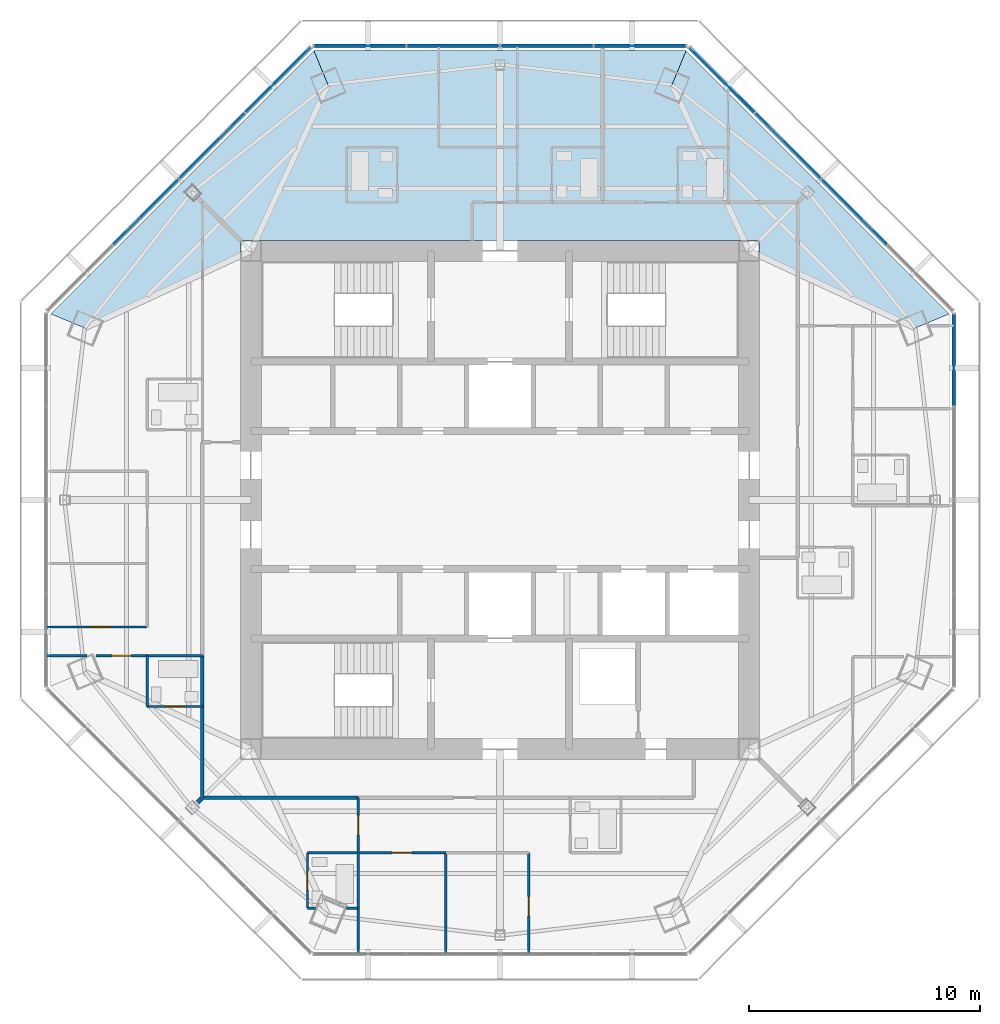
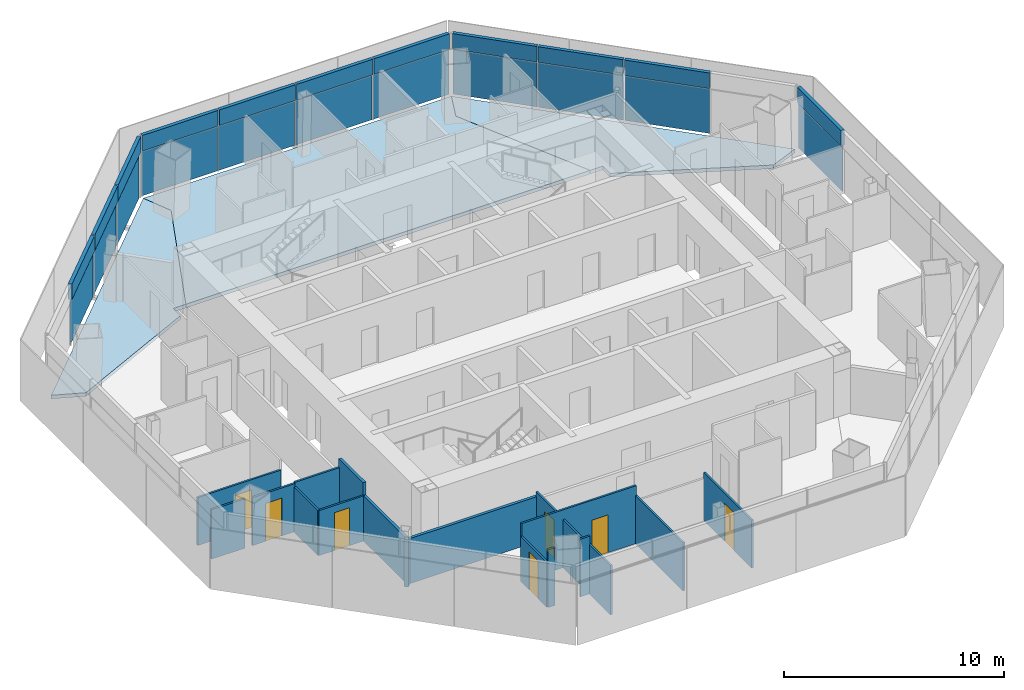
# One storey, part 8 of 15: 22 plates, 19 walls, 7 doors, 3 slabs, 7 openings, 4 elements without a shape of their own.
"""IFC4 building model written with IfcOpenShell, lengths in metres."""

import ifcopenshell
import ifcopenshell.guid

model = None  # the IFC model being written
_history = None  # IfcOwnerHistory: only IFC2X3 demands one
_inside = {}  # id of a spatial element -> (the spatial element, [elements in it])
_under = {}  # id of a project, library or spatial element -> (it, [spatial elements below it])
_declared = {}  # id of a project -> (the project, [libraries it declares])
_typed = {}  # id of a type object -> (the type object, [elements of that type])
_made_of = {}  # id of a material, layer set ... -> (it, [elements and type objects made of it])


def new_model(schema):
    """Start an empty IFC model of exactly this schema.

    Asked for "IFC4X3", IfcOpenShell would pick the latest addendum, in which some entities
    have other attributes; the version numbers below select the first issue.
    IFC2X3 requires an IfcOwnerHistory on every rooted entity: one is made here for all.
    """
    global model, _history
    if schema == "IFC4X3":
        model = ifcopenshell.file(schema_version=(4, 3, 0, 0))
    else:
        model = ifcopenshell.file(schema=schema)
    _inside.clear()
    _under.clear()
    _declared.clear()
    _typed.clear()
    _made_of.clear()
    _history = None
    if model.schema == "IFC2X3":
        org = make("IfcOrganization", Name="unknown")
        user = make(
            "IfcPersonAndOrganization",
            ThePerson=make("IfcPerson", FamilyName="unknown"),
            TheOrganization=org,
        )
        app = make(
            "IfcApplication",
            ApplicationDeveloper=org,
            Version="unknown",
            ApplicationFullName="unknown",
            ApplicationIdentifier="unknown",
        )
        _history = make(
            "IfcOwnerHistory",
            OwningUser=user,
            OwningApplication=app,
            ChangeAction="ADDED",
            CreationDate=0,
        )
    return model


def make(cls, **values):
    """One entity of the class cls with the attributes given. An attribute that is None is left unset."""
    return model.create_entity(
        cls, **{name: value for name, value in values.items() if value is not None}
    )


def rooted(cls, **values):
    """An entity with a GlobalId (a new one), such as an element, a storey or a relation."""
    return make(cls, GlobalId=ifcopenshell.guid.new(), OwnerHistory=_history, **values)


def si_unit(unit_type, name, prefix=None):
    """IfcSIUnit, for example si_unit("LENGTHUNIT", "METRE", prefix="MILLI")."""
    return make("IfcSIUnit", UnitType=unit_type, Prefix=prefix, Name=name)


def assignment(units):
    """IfcUnitAssignment: the units of a project."""
    return None if units is None else make("IfcUnitAssignment", Units=units)


def point(xyz):
    """IfcCartesianPoint."""
    return None if xyz is None else make("IfcCartesianPoint", Coordinates=xyz)


def direction(xyz):
    """IfcDirection."""
    return None if xyz is None else make("IfcDirection", DirectionRatios=xyz)


def frame(location, z_axis=None, x_axis=None):
    """IfcAxis2Placement3D, a coordinate frame: its origin and axes. An axis left out is left unset."""
    return make(
        "IfcAxis2Placement3D",
        Location=point(location),
        Axis=direction(z_axis),
        RefDirection=direction(x_axis),
    )


def frame_2d(location, x_axis=None):
    """IfcAxis2Placement2D, a coordinate frame in the plane: its origin and x axis."""
    return make(
        "IfcAxis2Placement2D", Location=point(location), RefDirection=direction(x_axis)
    )


def origin():
    """The frame at (0, 0, 0) with its axes left unset."""
    return frame((0.0, 0.0, 0.0))


def origin_2d():
    """The frame at (0, 0) in the plane with its x axis left unset."""
    return frame_2d((0.0, 0.0))


def place(relative_to, where):
    """IfcLocalPlacement: puts the frame where relative to a parent placement (None: the world)."""
    return make(
        "IfcLocalPlacement", PlacementRelTo=relative_to, RelativePlacement=where
    )


def context(
    kind, dimensions, precision=None, world=None, true_north=None, identifier=None
):
    """IfcGeometricRepresentationContext, for example the 3D "Model" context."""
    return make(
        "IfcGeometricRepresentationContext",
        ContextIdentifier=identifier,
        ContextType=kind,
        CoordinateSpaceDimension=dimensions,
        Precision=precision,
        WorldCoordinateSystem=world,
        TrueNorth=true_north,
    )


def subcontext(parent, identifier, kind, view, scale=None):
    """IfcGeometricRepresentationSubContext, for example "Body" below "Model"."""
    return make(
        "IfcGeometricRepresentationSubContext",
        ContextIdentifier=identifier,
        ContextType=kind,
        ParentContext=parent,
        TargetScale=scale,
        TargetView=view,
    )


def project(units=None, contexts=None):
    """IfcProject with its units and contexts."""
    return rooted(
        "IfcProject",
        Name="project",
        RepresentationContexts=contexts,
        UnitsInContext=assignment(units),
    )


def spatial(cls, under=None, at=None, **own):
    """A site, building, storey or space (cls), placed at a placement, below another one or the project."""
    s = rooted(cls, ObjectPlacement=at, **own)
    if under is not None:
        _under.setdefault(under.id(), (under, []))[1].append(s)
    return s


def polyline(points):
    """IfcPolyline through the points."""
    return make("IfcPolyline", Points=[point(p) for p in points])


def profile(cls, at=None, kind="AREA", **sizes):
    """A parametric profile (cls). Its sizes go by their IFC names, for example OverallWidth=200.0."""
    return make(cls, ProfileType=kind, Position=at, **sizes)


def rectangle(**sizes):
    """IfcRectangleProfileDef."""
    return profile("IfcRectangleProfileDef", **sizes)


def outline(outer, holes=None, kind="AREA"):
    """IfcArbitraryClosedProfileDef: a profile drawn as a closed curve; with holes, ...WithVoids."""
    if holes is None:
        return make("IfcArbitraryClosedProfileDef", ProfileType=kind, OuterCurve=outer)
    return make(
        "IfcArbitraryProfileDefWithVoids",
        ProfileType=kind,
        OuterCurve=outer,
        InnerCurves=holes,
    )


def extrude(swept, where, along, depth):
    """IfcExtrudedAreaSolid: the profile swept, set in the frame where, extruded along a direction by depth."""
    return make(
        "IfcExtrudedAreaSolid",
        SweptArea=swept,
        Position=where,
        ExtrudedDirection=direction(along),
        Depth=depth,
    )


def shape(context_of_items, identifier, shape_type, items):
    """IfcShapeRepresentation: the items that make up one representation, for example the "Body"."""
    return make(
        "IfcShapeRepresentation",
        ContextOfItems=context_of_items,
        RepresentationIdentifier=identifier,
        RepresentationType=shape_type,
        Items=items,
    )


def source(mapping_origin, context_of_items, identifier, shape_type, items):
    """IfcRepresentationMap: a shape defined once, which mapped items show again and again."""
    return make(
        "IfcRepresentationMap",
        MappingOrigin=mapping_origin,
        MappedRepresentation=shape(context_of_items, identifier, shape_type, items),
    )


def transform(
    local_origin,
    x_axis=None,
    y_axis=None,
    z_axis=None,
    scale=None,
    scale2=None,
    scale3=None,
    uniform=True,
):
    """IfcCartesianTransformationOperator3D, or its non-uniform kind. x_axis, y_axis, z_axis: its Axis1, 2, 3."""
    if uniform:
        return make(
            "IfcCartesianTransformationOperator3D",
            Axis1=direction(x_axis),
            Axis2=direction(y_axis),
            LocalOrigin=point(local_origin),
            Scale=scale,
            Axis3=direction(z_axis),
        )
    return make(
        "IfcCartesianTransformationOperator3DnonUniform",
        Axis1=direction(x_axis),
        Axis2=direction(y_axis),
        LocalOrigin=point(local_origin),
        Scale=scale,
        Axis3=direction(z_axis),
        Scale2=scale2,
        Scale3=scale3,
    )


def mapped(mapping_source, mapping_target):
    """IfcMappedItem: shows the shape of a source again, moved by a transform."""
    return make(
        "IfcMappedItem", MappingSource=mapping_source, MappingTarget=mapping_target
    )


def material(Name=None, Category=None):
    """IfcMaterial."""
    return make("IfcMaterial", Name=Name, Category=Category)


def layer(
    of_material, thickness, ventilated=None, Name=None, Category=None, Priority=None
):
    """IfcMaterialLayer: one layer of a wall or slab, of a material (None: an air gap)."""
    return make(
        "IfcMaterialLayer",
        Material=of_material,
        LayerThickness=thickness,
        IsVentilated=ventilated,
        Name=Name,
        Category=Category,
        Priority=Priority,
    )


def layer_set(layers, Name=None):
    """IfcMaterialLayerSet."""
    return make("IfcMaterialLayerSet", MaterialLayers=layers, LayerSetName=Name)


def made_of(thing, what):
    """Note that an element or type object is made of a material, layer set ...; save() writes the relation."""
    if what is not None:
        _made_of.setdefault(what.id(), (what, []))[1].append(thing)
    return thing


def type_object(cls, material=None, **own):
    """A type object (cls), such as IfcWallType, which elements share."""
    return made_of(rooted(cls, **own), material)


def type_shapes(of_type, sources):
    """Give a type object the sources (RepresentationMaps) that its elements show as mapped items."""
    of_type.RepresentationMaps = sources


def element(
    cls,
    number,
    at=None,
    inside=None,
    cuts=None,
    type_object=None,
    material=None,
    context=None,
    identifier="Body",
    shape_type=None,
    held_by="IfcProductDefinitionShape",
    body=None,
    shapes=None,
    **own,
):
    """One element of the class cls, such as IfcWall. Its Tag is "e" and its number.

    at: its placement. inside: the storey or other place that contains it. cuts: it is an
    opening in that element (IfcRelVoidsElement). A single representation is given by context,
    identifier, shape_type and body (its items); several are given by shapes. held_by: the class
    of the entity that holds the representations. save() writes the other relations.
    """
    e = rooted(cls, Tag="e%d" % number, ObjectPlacement=at, **own)
    if body is not None:
        shapes = [shape(context, identifier, shape_type, body)]
    if shapes is not None:
        e.Representation = make(held_by, Representations=shapes)
    if inside is not None:
        _inside.setdefault(inside.id(), (inside, []))[1].append(e)
    if cuts is not None:
        rooted(
            "IfcRelVoidsElement", RelatingBuildingElement=cuts, RelatedOpeningElement=e
        )
    if type_object is not None:
        _typed.setdefault(type_object.id(), (type_object, []))[1].append(e)
    return made_of(e, material)


def fill(opening, filler):
    """IfcRelFillsElement: the door or window that sits in an opening."""
    return rooted(
        "IfcRelFillsElement",
        RelatingOpeningElement=opening,
        RelatedBuildingElement=filler,
    )


def aggregate(whole, parts):
    """IfcRelAggregates: a whole, such as a stair, and the parts it consists of."""
    return rooted("IfcRelAggregates", RelatingObject=whole, RelatedObjects=parts)


def save(model, path):
    """Write the relations noted so far, then the file.

    IfcRelAggregates (storeys below a building ...), IfcRelContainedInSpatialStructure (elements
    in a storey), IfcRelDefinesByType, IfcRelAssociatesMaterial and IfcRelDeclares: one each for
    every whole, place, type object, material and project.
    """
    for whole, parts in _under.values():
        aggregate(whole, parts)
    for where, things in _inside.values():
        rooted(
            "IfcRelContainedInSpatialStructure",
            RelatedElements=things,
            RelatingStructure=where,
        )
    for kind, things in _typed.values():
        rooted("IfcRelDefinesByType", RelatedObjects=things, RelatingType=kind)
    for what, things in _made_of.values():
        rooted("IfcRelAssociatesMaterial", RelatedObjects=things, RelatingMaterial=what)
    for by, libraries in _declared.values():
        rooted("IfcRelDeclares", RelatingContext=by, RelatedDefinitions=libraries)
    model.write(path)


model = new_model("IFC4")

# Units and contexts
model_context = context("Model", 3, precision=1e-05, world=origin(), true_north=direction((0.0, 1.0)))
body_context = subcontext(model_context, "Body", "Model", "MODEL_VIEW")
ifc_project = project(units=[si_unit("LENGTHUNIT", "METRE"), si_unit("AREAUNIT", "SQUARE_METRE"), si_unit("VOLUMEUNIT", "CUBIC_METRE"), si_unit("PLANEANGLEUNIT", "RADIAN"), si_unit("MASSUNIT", "GRAM", prefix="KILO")], contexts=[model_context])

# Site, building, storey
site_placement = place(None, origin())
site = spatial("IfcSite", under=ifc_project, at=site_placement, CompositionType="ELEMENT")
building_placement = place(site_placement, origin())
building = spatial("IfcBuilding", under=site, at=building_placement, Name="Mashrafa Tower", CompositionType="ELEMENT")
storey_placement = place(building_placement, frame((0.0, 0.0, 294.60009765625)))
storey = spatial("IfcBuildingStorey", under=building, at=storey_placement, Name="L72", CompositionType="ELEMENT", Elevation=294.60009765625)

# Slabs
ifc_material_1 = material(Name="Concrete C35/45", Category="concrete")
ifc_layer_1 = layer(ifc_material_1, 0.199951171875)
ifc_layer_set_1 = layer_set([ifc_layer_1], Name="Floor slab 200")
slab_type = type_object("IfcSlabType", Name="Floor slab 200", PredefinedType="FLOOR", material=ifc_layer_set_1)
slab_1_placement = place(storey_placement, frame((0.0, 0.0, -0.2001953125)))
element("IfcSlab", 1, at=slab_1_placement, inside=storey, type_object=slab_type, Name="Floor slab L72 north-east bay", PredefinedType="FLOOR", context=body_context, shape_type="SweptSolid", body=[
    extrude(outline(polyline([(8.0693359375, 19.48095703125), (19.48095703125, 8.0693359375), (19.48095703125, 8.0693359375), (18.00830078125, 7.459228515625), (11.25, 10.591552734375), (11.25, 11.25), (10.591552734375, 11.25), (7.459228515625, 18.00830078125), (8.0693359375, 19.48095703125), (8.0693359375, 19.48095703125)])), origin(), (0.0, 0.0, 1.0), 0.2001953125),
])
slab_2_placement = place(storey_placement, frame((0.0, 0.0, -0.2001953125)))
element("IfcSlab", 2, at=slab_2_placement, inside=storey, type_object=slab_type, Name="Floor slab L72 north bay", PredefinedType="FLOOR", context=body_context, shape_type="SweptSolid", body=[
    extrude(outline(polyline([(8.0693359375, 19.48095703125), (7.459228515625, 18.00830078125), (10.591552734375, 11.25), (-10.591552734375, 11.25), (-7.459228515625, 18.00830078125), (-8.0693359375, 19.48095703125), (8.0693359375, 19.48095703125)])), origin(), (0.0, 0.0, 1.0), 0.2001953125),
])
slab_3_placement = place(storey_placement, frame((0.0, 0.0, -0.2001953125)))
element("IfcSlab", 3, at=slab_3_placement, inside=storey, type_object=slab_type, Name="Floor slab L72 north-west bay", PredefinedType="FLOOR", context=body_context, shape_type="SweptSolid", body=[
    extrude(outline(polyline([(-19.48095703125, 8.0693359375), (-8.0693359375, 19.48095703125), (-8.0693359375, 19.48095703125), (-7.459228515625, 18.00830078125), (-10.591552734375, 11.25), (-11.25, 11.25), (-11.25, 10.591552734375), (-18.00830078125, 7.459228515625), (-19.48095703125, 8.0693359375), (-19.48095703125, 8.0693359375)])), origin(), (0.0, 0.0, 1.0), 0.2001953125),
])

# Curtain wall, plate
ifc_material_2 = material(Name="Unitised aluminium curtain wall", Category="aluminium")
curtain_wall_type = type_object("IfcCurtainWallType", Name="Apartment curtain wall, zone 4 CW-D 160 deep", PredefinedType="NOTDEFINED", material=ifc_material_2)
curtain_wall_1_placement = place(storey_placement, origin())
curtain_wall_1 = element("IfcCurtainWall", 4, at=curtain_wall_1_placement, inside=storey, type_object=curtain_wall_type, Name="Apartment curtain wall, zone 4 L72 east", PredefinedType="NOTDEFINED")
ifc_material_3 = material(Name="Insulated double glazing, acoustic", Category="glass")
ifc_layer_2 = layer(ifc_material_3, 0.028076171875)
ifc_layer_set_2 = layer_set([ifc_layer_2], Name="Vision panel CW-D 28")
plate_type_1 = type_object("IfcPlateType", Name="Vision panel CW-D 28", PredefinedType="CURTAIN_PANEL", material=ifc_layer_set_2)
shared_shape_1 = source(origin(), body_context, "Body", "SweptSolid", [
    extrude(rectangle(XDim=3.964599609375, YDim=0.028076171875, at=origin_2d()), origin(), (0.0, 0.0, 1.0), 2.46240234375),
])
plate_1_placement = place(storey_placement, frame((19.680908203125, 6.066650390625, 0.0), z_axis=(0.0, 0.0, 1.0), x_axis=(0.0, 1.0, 0.0)))
plate_1 = element("IfcPlate", 5, at=plate_1_placement, type_object=plate_type_1, Name="CW-D vision panel 4", PredefinedType="CURTAIN_PANEL", context=body_context, shape_type="MappedRepresentation", body=[
    mapped(shared_shape_1, transform((0.0, 0.0, 0.0))),
])

curtain_wall_2_placement = place(storey_placement, origin())
curtain_wall_2 = element("IfcCurtainWall", 6, at=curtain_wall_2_placement, inside=storey, type_object=curtain_wall_type, Name="Apartment curtain wall, zone 4 L72 north-east", PredefinedType="NOTDEFINED")
plate_2_placement = place(storey_placement, frame((9.626708984375, 18.206298828125, 0.0), z_axis=(0.0, 0.0, 1.0), x_axis=(-0.707106781187, 0.707106781187, 0.0)))
plate_2 = element("IfcPlate", 7, at=plate_2_placement, type_object=plate_type_1, Name="CW-D vision panel 4", PredefinedType="CURTAIN_PANEL", context=body_context, shape_type="MappedRepresentation", body=[
    mapped(shared_shape_1, transform((0.0, 0.0, 0.0))),
])

# Curtain wall, plates
curtain_wall_3_placement = place(storey_placement, origin())
curtain_wall_3 = element("IfcCurtainWall", 8, at=curtain_wall_3_placement, inside=storey, type_object=curtain_wall_type, Name="Apartment curtain wall, zone 4 L72 north", PredefinedType="NOTDEFINED")
plate_3_placement = place(storey_placement, frame((6.066650390625, 19.680908203125, 0.0), z_axis=(0.0, 0.0, 1.0), x_axis=(-1.0, 0.0, 0.0)))
plate_3 = element("IfcPlate", 9, at=plate_3_placement, type_object=plate_type_1, Name="CW-D vision panel 1", PredefinedType="CURTAIN_PANEL", context=body_context, shape_type="MappedRepresentation", body=[
    mapped(shared_shape_1, transform((0.0, 0.0, 0.0))),
])
plate_4_placement = place(storey_placement, frame((-6.066650390625, 19.680908203125, 0.0), z_axis=(0.0, 0.0, 1.0), x_axis=(-1.0, 0.0, 0.0)))
plate_4 = element("IfcPlate", 10, at=plate_4_placement, type_object=plate_type_1, Name="CW-D vision panel 4", PredefinedType="CURTAIN_PANEL", context=body_context, shape_type="MappedRepresentation", body=[
    mapped(shared_shape_1, transform((0.0, 0.0, 0.0))),
])

# Curtain wall, plate
curtain_wall_4_placement = place(storey_placement, origin())
curtain_wall_4 = element("IfcCurtainWall", 11, at=curtain_wall_4_placement, inside=storey, type_object=curtain_wall_type, Name="Apartment curtain wall, zone 4 L72 north-west", PredefinedType="NOTDEFINED")
plate_5_placement = place(storey_placement, frame((-9.626708984375, 18.206298828125, 0.0), z_axis=(0.0, 0.0, 1.0), x_axis=(-0.707106781187, -0.707106781187, 0.0)))
plate_5 = element("IfcPlate", 12, at=plate_5_placement, type_object=plate_type_1, Name="CW-D vision panel 1", PredefinedType="CURTAIN_PANEL", context=body_context, shape_type="MappedRepresentation", body=[
    mapped(shared_shape_1, transform((0.0, 0.0, 0.0))),
])

# Plate
ifc_material_4 = material(Name="Insulated bronze aluminium spandrel panel", Category="aluminium")
ifc_layer_3 = layer(ifc_material_4, 0.179931640625)
ifc_layer_set_3 = layer_set([ifc_layer_3], Name="Spandrel panel CW-D 180")
plate_type_2 = type_object("IfcPlateType", Name="Spandrel panel CW-D 180", PredefinedType="CURTAIN_PANEL", material=ifc_layer_set_3)
shared_shape_2 = source(origin(), body_context, "Body", "SweptSolid", [
    extrude(rectangle(XDim=3.964599609375, YDim=0.179931640625, at=origin_2d()), origin(), (0.0, 0.0, 1.0), 0.862548828125),
])
plate_6_placement = place(storey_placement, frame((19.680908203125, 6.066650390625, 2.53759765625), z_axis=(0.0, 0.0, 1.0), x_axis=(0.0, 1.0, 0.0)))
plate_6 = element("IfcPlate", 13, at=plate_6_placement, type_object=plate_type_2, Name="CW-D spandrel panel 4", PredefinedType="CURTAIN_PANEL", context=body_context, shape_type="MappedRepresentation", body=[
    mapped(shared_shape_2, transform((0.0, 0.0, 0.0))),
])

aggregate(curtain_wall_1, [plate_1, plate_6])

plate_7_placement = place(storey_placement, frame((9.626708984375, 18.206298828125, 2.53759765625), z_axis=(0.0, 0.0, 1.0), x_axis=(-0.707106781187, 0.707106781187, 0.0)))
plate_7 = element("IfcPlate", 14, at=plate_7_placement, type_object=plate_type_2, Name="CW-D spandrel panel 4", PredefinedType="CURTAIN_PANEL", context=body_context, shape_type="MappedRepresentation", body=[
    mapped(shared_shape_2, transform((0.0, 0.0, 0.0))),
])

plate_8_placement = place(storey_placement, frame((6.066650390625, 19.680908203125, 2.53759765625), z_axis=(0.0, 0.0, 1.0), x_axis=(-1.0, 0.0, 0.0)))
plate_8 = element("IfcPlate", 15, at=plate_8_placement, type_object=plate_type_2, Name="CW-D spandrel panel 1", PredefinedType="CURTAIN_PANEL", context=body_context, shape_type="MappedRepresentation", body=[
    mapped(shared_shape_2, transform((0.0, 0.0, 0.0))),
])

plate_9_placement = place(storey_placement, frame((-6.066650390625, 19.680908203125, 2.53759765625), z_axis=(0.0, 0.0, 1.0), x_axis=(-1.0, 0.0, 0.0)))
plate_9 = element("IfcPlate", 16, at=plate_9_placement, type_object=plate_type_2, Name="CW-D spandrel panel 4", PredefinedType="CURTAIN_PANEL", context=body_context, shape_type="MappedRepresentation", body=[
    mapped(shared_shape_2, transform((0.0, 0.0, 0.0))),
])

plate_10_placement = place(storey_placement, frame((-9.626708984375, 18.206298828125, 2.53759765625), z_axis=(0.0, 0.0, 1.0), x_axis=(-0.707106781187, -0.707106781187, 0.0)))
plate_10 = element("IfcPlate", 17, at=plate_10_placement, type_object=plate_type_2, Name="CW-D spandrel panel 1", PredefinedType="CURTAIN_PANEL", context=body_context, shape_type="MappedRepresentation", body=[
    mapped(shared_shape_2, transform((0.0, 0.0, 0.0))),
])

shared_shape_3 = source(origin(), body_context, "Body", "SweptSolid", [
    extrude(rectangle(XDim=3.994384765625, YDim=0.028076171875, at=origin_2d()), origin(), (0.0, 0.0, 1.0), 2.46240234375),
])
type_shapes(plate_type_1, [shared_shape_1, shared_shape_3])
plate_11_placement = place(storey_placement, frame((15.35009765625, 12.48291015625, 0.0), z_axis=(0.0, 0.0, 1.0), x_axis=(-0.707106781187, 0.707106781187, 0.0)))
plate_11 = element("IfcPlate", 18, at=plate_11_placement, type_object=plate_type_1, Name="CW-D vision panel 2", PredefinedType="CURTAIN_PANEL", context=body_context, shape_type="MappedRepresentation", body=[
    mapped(shared_shape_3, transform((0.0, 0.0, 0.0))),
])

plate_12_placement = place(storey_placement, frame((12.48291015625, 15.35009765625, 0.0), z_axis=(0.0, 0.0, 1.0), x_axis=(-0.707106781187, 0.707106781187, 0.0)))
plate_12 = element("IfcPlate", 19, at=plate_12_placement, type_object=plate_type_1, Name="CW-D vision panel 3", PredefinedType="CURTAIN_PANEL", context=body_context, shape_type="MappedRepresentation", body=[
    mapped(shared_shape_3, transform((0.0, 0.0, 0.0))),
])

plate_13_placement = place(storey_placement, frame((2.02734375, 19.680908203125, 0.0), z_axis=(0.0, 0.0, 1.0), x_axis=(-1.0, 0.0, 0.0)))
plate_13 = element("IfcPlate", 20, at=plate_13_placement, type_object=plate_type_1, Name="CW-D vision panel 2", PredefinedType="CURTAIN_PANEL", context=body_context, shape_type="MappedRepresentation", body=[
    mapped(shared_shape_3, transform((0.0, 0.0, 0.0))),
])

plate_14_placement = place(storey_placement, frame((-2.02734375, 19.680908203125, 0.0), z_axis=(0.0, 0.0, 1.0), x_axis=(-1.0, 0.0, 0.0)))
plate_14 = element("IfcPlate", 21, at=plate_14_placement, type_object=plate_type_1, Name="CW-D vision panel 3", PredefinedType="CURTAIN_PANEL", context=body_context, shape_type="MappedRepresentation", body=[
    mapped(shared_shape_3, transform((0.0, 0.0, 0.0))),
])

plate_15_placement = place(storey_placement, frame((-12.48291015625, 15.35009765625, 0.0), z_axis=(0.0, 0.0, 1.0), x_axis=(-0.707106781187, -0.707106781187, 0.0)))
plate_15 = element("IfcPlate", 22, at=plate_15_placement, type_object=plate_type_1, Name="CW-D vision panel 2", PredefinedType="CURTAIN_PANEL", context=body_context, shape_type="MappedRepresentation", body=[
    mapped(shared_shape_3, transform((0.0, 0.0, 0.0))),
])

plate_16_placement = place(storey_placement, frame((-15.35009765625, 12.48291015625, 0.0), z_axis=(0.0, 0.0, 1.0), x_axis=(-0.707106781187, -0.707106781187, 0.0)))
plate_16 = element("IfcPlate", 23, at=plate_16_placement, type_object=plate_type_1, Name="CW-D vision panel 3", PredefinedType="CURTAIN_PANEL", context=body_context, shape_type="MappedRepresentation", body=[
    mapped(shared_shape_3, transform((0.0, 0.0, 0.0))),
])

shared_shape_4 = source(origin(), body_context, "Body", "SweptSolid", [
    extrude(rectangle(XDim=3.994384765625, YDim=0.179931640625, at=origin_2d()), origin(), (0.0, 0.0, 1.0), 0.862548828125),
])
type_shapes(plate_type_2, [shared_shape_2, shared_shape_4])
plate_17_placement = place(storey_placement, frame((15.35009765625, 12.48291015625, 2.53759765625), z_axis=(0.0, 0.0, 1.0), x_axis=(-0.707106781187, 0.707106781187, 0.0)))
plate_17 = element("IfcPlate", 24, at=plate_17_placement, type_object=plate_type_2, Name="CW-D spandrel panel 2", PredefinedType="CURTAIN_PANEL", context=body_context, shape_type="MappedRepresentation", body=[
    mapped(shared_shape_4, transform((0.0, 0.0, 0.0))),
])

plate_18_placement = place(storey_placement, frame((12.48291015625, 15.35009765625, 2.53759765625), z_axis=(0.0, 0.0, 1.0), x_axis=(-0.707106781187, 0.707106781187, 0.0)))
plate_18 = element("IfcPlate", 25, at=plate_18_placement, type_object=plate_type_2, Name="CW-D spandrel panel 3", PredefinedType="CURTAIN_PANEL", context=body_context, shape_type="MappedRepresentation", body=[
    mapped(shared_shape_4, transform((0.0, 0.0, 0.0))),
])

aggregate(curtain_wall_2, [plate_11, plate_17, plate_12, plate_18, plate_2, plate_7])

plate_19_placement = place(storey_placement, frame((2.02734375, 19.680908203125, 2.53759765625), z_axis=(0.0, 0.0, 1.0), x_axis=(-1.0, 0.0, 0.0)))
plate_19 = element("IfcPlate", 26, at=plate_19_placement, type_object=plate_type_2, Name="CW-D spandrel panel 2", PredefinedType="CURTAIN_PANEL", context=body_context, shape_type="MappedRepresentation", body=[
    mapped(shared_shape_4, transform((0.0, 0.0, 0.0))),
])

plate_20_placement = place(storey_placement, frame((-2.02734375, 19.680908203125, 2.53759765625), z_axis=(0.0, 0.0, 1.0), x_axis=(-1.0, 0.0, 0.0)))
plate_20 = element("IfcPlate", 27, at=plate_20_placement, type_object=plate_type_2, Name="CW-D spandrel panel 3", PredefinedType="CURTAIN_PANEL", context=body_context, shape_type="MappedRepresentation", body=[
    mapped(shared_shape_4, transform((0.0, 0.0, 0.0))),
])

aggregate(curtain_wall_3, [plate_3, plate_8, plate_13, plate_19, plate_14, plate_20, plate_4, plate_9])

plate_21_placement = place(storey_placement, frame((-12.48291015625, 15.35009765625, 2.53759765625), z_axis=(0.0, 0.0, 1.0), x_axis=(-0.707106781187, -0.707106781187, 0.0)))
plate_21 = element("IfcPlate", 28, at=plate_21_placement, type_object=plate_type_2, Name="CW-D spandrel panel 2", PredefinedType="CURTAIN_PANEL", context=body_context, shape_type="MappedRepresentation", body=[
    mapped(shared_shape_4, transform((0.0, 0.0, 0.0))),
])

plate_22_placement = place(storey_placement, frame((-15.35009765625, 12.48291015625, 2.53759765625), z_axis=(0.0, 0.0, 1.0), x_axis=(-0.707106781187, -0.707106781187, 0.0)))
plate_22 = element("IfcPlate", 29, at=plate_22_placement, type_object=plate_type_2, Name="CW-D spandrel panel 3", PredefinedType="CURTAIN_PANEL", context=body_context, shape_type="MappedRepresentation", body=[
    mapped(shared_shape_4, transform((0.0, 0.0, 0.0))),
])

aggregate(curtain_wall_4, [plate_5, plate_10, plate_15, plate_21, plate_16, plate_22])

# Walls
ifc_material_5 = material(Name="Gypsum board on steel studs", Category="steel")
ifc_layer_4 = layer(ifc_material_5, 0.199951171875)
ifc_layer_set_4 = layer_set([ifc_layer_4], Name="Acoustic partition 200 1 hr")
wall_type_1 = type_object("IfcWallType", Name="Acoustic partition 200 1 hr", PredefinedType="PARTITIONING", material=ifc_layer_set_4)
wall_1_placement = place(storey_placement, frame((-13.110107421875, -13.110107421875, 0.0), z_axis=(0.0, 0.0, 1.0), x_axis=(0.707106781187, 0.707106781187, 0.0)))
element("IfcWall", 30, at=wall_1_placement, inside=storey, type_object=wall_type_1, Name="Acoustic wall L72-076", PredefinedType="PARTITIONING", context=body_context, shape_type="SweptSolid", body=[
    extrude(rectangle(XDim=0.244140625, YDim=0.199951171875, at=frame_2d((0.1220703125, 0.0))), origin(), (0.0, 0.0, 1.0), 2.590576171875),
])
ifc_material_6 = material(Name="Gypsum board on steel studs", Category="steel")
ifc_layer_5 = layer(ifc_material_6, 0.14990234375)
ifc_layer_set_5 = layer_set([ifc_layer_5], Name="Corridor partition 150 1 hr")
wall_type_2 = type_object("IfcWallType", Name="Corridor partition 150 1 hr", PredefinedType="PARTITIONING", material=ifc_layer_set_5)
wall_2_placement = place(storey_placement, frame((-12.89990234375, -6.7490234375, 0.0), z_axis=(0.0, 0.0, 1.0), x_axis=(0.0, -1.0, 0.0)))
element("IfcWall", 31, at=wall_2_placement, inside=storey, type_object=wall_type_2, Name="Corridor wall L72-013", PredefinedType="PARTITIONING", context=body_context, shape_type="SweptSolid", body=[
    extrude(rectangle(XDim=2.201904296875, YDim=0.14990234375, at=frame_2d((1.10107421875, 0.0))), origin(), (0.0, 0.0, 1.0), 3.199951171875),
])
wall_3_placement = place(storey_placement, frame((-12.89990234375, -8.948974609375, 0.0), z_axis=(0.0, 0.0, 1.0), x_axis=(0.0, -1.0, 0.0)))
element("IfcWall", 32, at=wall_3_placement, inside=storey, type_object=wall_type_2, Name="Corridor wall L72-014", PredefinedType="PARTITIONING", context=body_context, shape_type="SweptSolid", body=[
    extrude(rectangle(XDim=3.950927734375, YDim=0.14990234375, at=frame_2d((1.9755859375, 0.0))), origin(), (0.0, 0.0, 1.0), 2.49658203125),
])
wall_4_placement = place(storey_placement, frame((-12.89990234375, -12.89990234375, 0.0), z_axis=(0.0, 0.0, 1.0), x_axis=(1.0, 0.0, 0.0)))
element("IfcWall", 33, at=wall_4_placement, inside=storey, type_object=wall_type_2, Name="Corridor wall L72-018", PredefinedType="PARTITIONING", context=body_context, shape_type="SweptSolid", body=[
    extrude(rectangle(XDim=6.7509765625, YDim=0.14990234375, at=frame_2d((3.37548828125, 0.0))), origin(), (0.0, 0.0, 1.0), 2.49658203125),
])

# Wall, opening, door
ifc_material_7 = material(Name="Gypsum board on steel studs", Category="steel")
ifc_layer_6 = layer(ifc_material_7, 0.10009765625)
ifc_layer_set_6 = layer_set([ifc_layer_6], Name="Partition 100")
wall_type_3 = type_object("IfcWallType", Name="Partition 100", PredefinedType="PARTITIONING", material=ifc_layer_set_6)
wall_5_placement = place(storey_placement, frame((-19.664794921875, -5.50341796875, 0.0), z_axis=(0.0, 0.0, 1.0), x_axis=(1.0, 0.0, 0.0)))
wall_5 = element("IfcWall", 34, at=wall_5_placement, inside=storey, type_object=wall_type_3, Name="Partition wall L72-024", PredefinedType="PARTITIONING", context=body_context, shape_type="SweptSolid", body=[
    extrude(rectangle(XDim=4.36474609375, YDim=0.10009765625, at=frame_2d((2.182373046875, 0.0))), origin(), (0.0, 0.0, 1.0), 2.66162109375),
])
opening_1_placement = place(wall_5_placement, frame((1.969970703125, 0.0, 0.0)))
opening_1 = element("IfcOpeningElement", 35, at=opening_1_placement, cuts=wall_5, Name="Opening 72.001", PredefinedType="OPENING", context=body_context, shape_type="SweptSolid", body=[
    extrude(rectangle(XDim=0.85009765625, YDim=2.10009765625, at=frame_2d((0.425048828125, 1.050048828125))), frame((0.0, 0.06005859375, 0.0), z_axis=(0.0, -1.0, 0.0), x_axis=(1.0, 0.0, 0.0)), (0.0, 0.0, 1.0), 0.1201171875),
])
ifc_material_8 = material(Name="Timber door", Category="wood")
door_type_1 = type_object("IfcDoorType", Name="Bedroom door 850 x 2100", OperationType="USERDEFINED", PredefinedType="DOOR", material=ifc_material_8)
door_1_placement = place(opening_1_placement, origin())
door_1 = element("IfcDoor", 36, at=door_1_placement, inside=storey, type_object=door_type_1, Name="Apartment 7204 Dining Room door", OperationType="SINGLE_SWING_LEFT", OverallHeight=2.10009765625, OverallWidth=0.85009765625, PredefinedType="DOOR", context=body_context, shape_type="SweptSolid", body=[
    extrude(rectangle(XDim=0.85009765625, YDim=2.10009765625, at=frame_2d((0.425048828125, 1.050048828125))), frame((0.0, 0.02490234375, 0.0), z_axis=(0.0, -1.0, 0.0), x_axis=(1.0, 0.0, 0.0)), (0.0, 0.0, 1.0), 0.050048828125),
])
fill(opening_1, door_1)

# Wall
wall_6_placement = place(storey_placement, frame((-15.300048828125, -6.75, 0.0), z_axis=(0.0, 0.0, 1.0), x_axis=(0.0, -1.0, 0.0)))
element("IfcWall", 37, at=wall_6_placement, inside=storey, type_object=wall_type_3, Name="Partition wall L72-071", PredefinedType="PARTITIONING", context=body_context, shape_type="SweptSolid", body=[
    extrude(rectangle(XDim=2.199951171875, YDim=0.10009765625, at=frame_2d((1.10009765625, 0.0))), origin(), (0.0, 0.0, 1.0), 2.49658203125),
])

# Wall, opening, door
wall_7_placement = place(storey_placement, frame((-15.300048828125, -8.949951171875, 0.0), z_axis=(0.0, 0.0, 1.0), x_axis=(1.0, 0.0, 0.0)))
wall_7 = element("IfcWall", 38, at=wall_7_placement, inside=storey, type_object=wall_type_3, Name="Partition wall L72-072", PredefinedType="PARTITIONING", context=body_context, shape_type="SweptSolid", body=[
    extrude(rectangle(XDim=2.400146484375, YDim=0.10009765625, at=frame_2d((1.2001953125, 0.0))), origin(), (0.0, 0.0, 1.0), 2.49658203125),
])
opening_2_placement = place(wall_7_placement, frame((0.800048828125, 0.0, 0.0)))
opening_2 = element("IfcOpeningElement", 39, at=opening_2_placement, cuts=wall_7, Name="Opening 72.019", PredefinedType="OPENING", context=body_context, shape_type="SweptSolid", body=[
    extrude(rectangle(XDim=0.800048828125, YDim=2.10009765625, at=frame_2d((0.39990234375, 1.050048828125))), frame((0.0, 0.06005859375, 0.0), z_axis=(0.0, -1.0, 0.0), x_axis=(1.0, 0.0, 0.0)), (0.0, 0.0, 1.0), 0.1201171875),
])
ifc_material_9 = material(Name="Timber door", Category="wood")
door_type_2 = type_object("IfcDoorType", Name="Bathroom door 800 x 2100", OperationType="USERDEFINED", PredefinedType="DOOR", material=ifc_material_9)
door_2_placement = place(opening_2_placement, origin())
door_2 = element("IfcDoor", 40, at=door_2_placement, inside=storey, type_object=door_type_2, Name="Apartment 7204 En-suite Bathroom door", OperationType="SINGLE_SWING_LEFT", OverallHeight=2.10009765625, OverallWidth=0.800048828125, PredefinedType="DOOR", context=body_context, shape_type="SweptSolid", body=[
    extrude(rectangle(XDim=0.800048828125, YDim=2.10009765625, at=frame_2d((0.39990234375, 1.050048828125))), frame((0.0, 0.02490234375, 0.0), z_axis=(0.0, -1.0, 0.0), x_axis=(1.0, 0.0, 0.0)), (0.0, 0.0, 1.0), 0.050048828125),
])
fill(opening_2, door_2)

# Wall
wall_8_placement = place(storey_placement, frame((-12.89990234375, -6.75, 0.0), z_axis=(0.0, 0.0, 1.0), x_axis=(-1.0, 0.0, 0.0)))
element("IfcWall", 41, at=wall_8_placement, inside=storey, type_object=wall_type_3, Name="Partition wall L72-073", PredefinedType="PARTITIONING", context=body_context, shape_type="SweptSolid", body=[
    extrude(rectangle(XDim=2.400146484375, YDim=0.10009765625, at=frame_2d((1.2001953125, 0.0))), origin(), (0.0, 0.0, 1.0), 2.730224609375),
])

# Wall, opening, door
wall_9_placement = place(storey_placement, frame((-15.300048828125, -6.75, 0.0), z_axis=(0.0, 0.0, 1.0), x_axis=(-1.0, 0.0, 0.0)))
wall_9 = element("IfcWall", 42, at=wall_9_placement, inside=storey, type_object=wall_type_3, Name="Partition wall L72-074", PredefinedType="PARTITIONING", context=body_context, shape_type="SweptSolid", body=[
    extrude(rectangle(XDim=2.21240234375, YDim=0.10009765625, at=frame_2d((1.106201171875, 0.0))), origin(), (0.0, 0.0, 1.0), 2.66162109375),
])
opening_3_placement = place(wall_9_placement, frame((0.681396484375, 0.0, 0.0)))
opening_3 = element("IfcOpeningElement", 43, at=opening_3_placement, cuts=wall_9, Name="Opening 72.020", PredefinedType="OPENING", context=body_context, shape_type="SweptSolid", body=[
    extrude(rectangle(XDim=0.85009765625, YDim=2.10009765625, at=frame_2d((0.425048828125, 1.050048828125))), frame((0.0, 0.06005859375, 0.0), z_axis=(0.0, -1.0, 0.0), x_axis=(1.0, 0.0, 0.0)), (0.0, 0.0, 1.0), 0.1201171875),
])
door_3_placement = place(opening_3_placement, origin())
door_3 = element("IfcDoor", 44, at=door_3_placement, inside=storey, type_object=door_type_1, Name="Apartment 7204 Bedroom 2 door", OperationType="SINGLE_SWING_LEFT", OverallHeight=2.10009765625, OverallWidth=0.85009765625, PredefinedType="DOOR", context=body_context, shape_type="SweptSolid", body=[
    extrude(rectangle(XDim=0.85009765625, YDim=2.10009765625, at=frame_2d((0.425048828125, 1.050048828125))), frame((0.0, 0.02490234375, 0.0), z_axis=(0.0, -1.0, 0.0), x_axis=(1.0, 0.0, 0.0)), (0.0, 0.0, 1.0), 0.050048828125),
])
fill(opening_3, door_3)

# Walls
wall_10_placement = place(storey_placement, frame((-17.91357421875, -6.75, 0.0), z_axis=(0.0, 0.0, 1.0), x_axis=(-1.0, 0.0, 0.0)))
element("IfcWall", 45, at=wall_10_placement, inside=storey, type_object=wall_type_3, Name="Partition wall L72-075", PredefinedType="PARTITIONING", context=body_context, shape_type="SweptSolid", body=[
    extrude(rectangle(XDim=1.749267578125, YDim=0.10009765625, at=frame_2d((0.87451171875, 0.0))), origin(), (0.0, 0.0, 1.0), 2.740234375),
])
wall_11_placement = place(storey_placement, frame((-2.35009765625, -15.300048828125, 0.0), z_axis=(0.0, 0.0, 1.0), x_axis=(0.0, -1.0, 0.0)))
element("IfcWall", 46, at=wall_11_placement, inside=storey, type_object=wall_type_3, Name="Partition wall L72-082", PredefinedType="PARTITIONING", context=body_context, shape_type="SweptSolid", body=[
    extrude(rectangle(XDim=4.36279296875, YDim=0.10009765625, at=frame_2d((2.181396484375, 0.0))), origin(), (0.0, 0.0, 1.0), 2.66162109375),
])

# Wall, opening, door
wall_12_placement = place(storey_placement, frame((1.25, -19.664794921875, 0.0), z_axis=(0.0, 0.0, 1.0), x_axis=(0.0, 1.0, 0.0)))
wall_12 = element("IfcWall", 47, at=wall_12_placement, inside=storey, type_object=wall_type_3, Name="Partition wall L72-083", PredefinedType="PARTITIONING", context=body_context, shape_type="SweptSolid", body=[
    extrude(rectangle(XDim=4.36474609375, YDim=0.10009765625, at=frame_2d((2.182373046875, 0.0))), origin(), (0.0, 0.0, 1.0), 2.66162109375),
])
opening_4_placement = place(wall_12_placement, frame((1.619384765625, 0.0, 0.0)))
opening_4 = element("IfcOpeningElement", 48, at=opening_4_placement, cuts=wall_12, Name="Opening 72.023", PredefinedType="OPENING", context=body_context, shape_type="SweptSolid", body=[
    extrude(rectangle(XDim=0.85009765625, YDim=2.10009765625, at=frame_2d((0.425048828125, 1.050048828125))), frame((0.0, 0.06005859375, 0.0), z_axis=(0.0, -1.0, 0.0), x_axis=(1.0, 0.0, 0.0)), (0.0, 0.0, 1.0), 0.1201171875),
])
door_4_placement = place(opening_4_placement, origin())
door_4 = element("IfcDoor", 49, at=door_4_placement, inside=storey, type_object=door_type_1, Name="Apartment 7205 Majlis door", OperationType="SINGLE_SWING_LEFT", OverallHeight=2.10009765625, OverallWidth=0.85009765625, PredefinedType="DOOR", context=body_context, shape_type="SweptSolid", body=[
    extrude(rectangle(XDim=0.85009765625, YDim=2.10009765625, at=frame_2d((0.425048828125, 1.050048828125))), frame((0.0, 0.02490234375, 0.0), z_axis=(0.0, -1.0, 0.0), x_axis=(1.0, 0.0, 0.0)), (0.0, 0.0, 1.0), 0.050048828125),
])
fill(opening_4, door_4)

# Walls
wall_13_placement = place(storey_placement, frame((-6.14990234375, -15.300048828125, 0.0), z_axis=(0.0, 0.0, 1.0), x_axis=(0.0, -1.0, 0.0)))
element("IfcWall", 50, at=wall_13_placement, inside=storey, type_object=wall_type_3, Name="Partition wall L72-085", PredefinedType="PARTITIONING", context=body_context, shape_type="SweptSolid", body=[
    extrude(rectangle(XDim=2.40087890625, YDim=0.10009765625, at=frame_2d((1.200439453125, 0.0))), origin(), (0.0, 0.0, 1.0), 2.66162109375),
])
wall_14_placement = place(storey_placement, frame((-6.14990234375, -17.698974609375, 0.0), z_axis=(0.0, 0.0, 1.0), x_axis=(0.0, -1.0, 0.0)))
element("IfcWall", 51, at=wall_14_placement, inside=storey, type_object=wall_type_3, Name="Partition wall L72-086", PredefinedType="PARTITIONING", context=body_context, shape_type="SweptSolid", body=[
    extrude(rectangle(XDim=1.9638671875, YDim=0.10009765625, at=frame_2d((0.98193359375, 0.0))), origin(), (0.0, 0.0, 1.0), 2.740234375),
])

# Wall, opening, door
wall_15_placement = place(storey_placement, frame((-2.35009765625, -15.300048828125, 0.0), z_axis=(0.0, 0.0, 1.0), x_axis=(-1.0, 0.0, 0.0)))
wall_15 = element("IfcWall", 52, at=wall_15_placement, inside=storey, type_object=wall_type_3, Name="Partition wall L72-087", PredefinedType="PARTITIONING", context=body_context, shape_type="SweptSolid", body=[
    extrude(rectangle(XDim=6.0, YDim=0.10009765625, at=frame_2d((3.0, 0.0))), origin(), (0.0, 0.0, 1.0), 3.199951171875),
])
opening_5_placement = place(wall_15_placement, frame((1.47509765625, 0.0, 0.0)))
opening_5 = element("IfcOpeningElement", 53, at=opening_5_placement, cuts=wall_15, Name="Opening 72.024", PredefinedType="OPENING", context=body_context, shape_type="SweptSolid", body=[
    extrude(rectangle(XDim=0.85009765625, YDim=2.10009765625, at=frame_2d((0.425048828125, 1.050048828125))), frame((0.0, 0.06005859375, 0.0), z_axis=(0.0, -1.0, 0.0), x_axis=(1.0, 0.0, 0.0)), (0.0, 0.0, 1.0), 0.1201171875),
])
door_5_placement = place(opening_5_placement, origin())
door_5 = element("IfcDoor", 54, at=door_5_placement, inside=storey, type_object=door_type_1, Name="Apartment 7205 Bedroom 1 door", OperationType="SINGLE_SWING_LEFT", OverallHeight=2.10009765625, OverallWidth=0.85009765625, PredefinedType="DOOR", context=body_context, shape_type="SweptSolid", body=[
    extrude(rectangle(XDim=0.85009765625, YDim=2.10009765625, at=frame_2d((0.425048828125, 1.050048828125))), frame((0.0, 0.02490234375, 0.0), z_axis=(0.0, -1.0, 0.0), x_axis=(1.0, 0.0, 0.0)), (0.0, 0.0, 1.0), 0.050048828125),
])
fill(opening_5, door_5)

wall_16_placement = place(storey_placement, frame((-8.35009765625, -15.300048828125, 0.0), z_axis=(0.0, 0.0, 1.0), x_axis=(0.0, -1.0, 0.0)))
wall_16 = element("IfcWall", 55, at=wall_16_placement, inside=storey, type_object=wall_type_3, Name="Partition wall L72-089", PredefinedType="PARTITIONING", context=body_context, shape_type="SweptSolid", body=[
    extrude(rectangle(XDim=2.39990234375, YDim=0.10009765625, at=frame_2d((1.199951171875, 0.0))), origin(), (0.0, 0.0, 1.0), 2.49658203125),
])
opening_6_placement = place(wall_16_placement, frame((0.800048828125, 0.0, 0.0)))
opening_6 = element("IfcOpeningElement", 56, at=opening_6_placement, cuts=wall_16, Name="Opening 72.025", PredefinedType="OPENING", context=body_context, shape_type="SweptSolid", body=[
    extrude(rectangle(XDim=0.800048828125, YDim=2.10009765625, at=frame_2d((0.39990234375, 1.050048828125))), frame((0.0, 0.06005859375, 0.0), z_axis=(0.0, -1.0, 0.0), x_axis=(1.0, 0.0, 0.0)), (0.0, 0.0, 1.0), 0.1201171875),
])
door_6_placement = place(opening_6_placement, origin())
door_6 = element("IfcDoor", 57, at=door_6_placement, inside=storey, type_object=door_type_2, Name="Apartment 7205 En-suite Bathroom door", OperationType="SINGLE_SWING_RIGHT", OverallHeight=2.10009765625, OverallWidth=0.800048828125, PredefinedType="DOOR", context=body_context, shape_type="SweptSolid", body=[
    extrude(rectangle(XDim=0.800048828125, YDim=2.10009765625, at=frame_2d((0.39990234375, 1.050048828125))), frame((0.0, 0.02490234375, 0.0), z_axis=(0.0, -1.0, 0.0), x_axis=(1.0, 0.0, 0.0)), (0.0, 0.0, 1.0), 0.050048828125),
])
fill(opening_6, door_6)

# Walls
wall_17_placement = place(storey_placement, frame((-8.35009765625, -17.699951171875, 0.0), z_axis=(0.0, 0.0, 1.0), x_axis=(1.0, 0.0, 0.0)))
element("IfcWall", 58, at=wall_17_placement, inside=storey, type_object=wall_type_3, Name="Partition wall L72-090", PredefinedType="PARTITIONING", context=body_context, shape_type="SweptSolid", body=[
    extrude(rectangle(XDim=0.348388671875, YDim=0.10009765625, at=frame_2d((0.17431640625, 0.0))), origin(), (0.0, 0.0, 1.0), 3.199951171875),
])
wall_18_placement = place(storey_placement, frame((-6.66162109375, -17.699951171875, 0.0), z_axis=(0.0, 0.0, 1.0), x_axis=(1.0, 0.0, 0.0)))
element("IfcWall", 59, at=wall_18_placement, inside=storey, type_object=wall_type_3, Name="Partition wall L72-091", PredefinedType="PARTITIONING", context=body_context, shape_type="SweptSolid", body=[
    extrude(rectangle(XDim=0.51171875, YDim=0.10009765625, at=frame_2d((0.255859375, 0.0))), origin(), (0.0, 0.0, 1.0), 3.199951171875),
])

# Wall, opening, door
wall_19_placement = place(storey_placement, frame((-6.14990234375, -15.300048828125, 0.0), z_axis=(0.0, 0.0, 1.0), x_axis=(0.0, 1.0, 0.0)))
wall_19 = element("IfcWall", 60, at=wall_19_placement, inside=storey, type_object=wall_type_3, Name="Partition wall L72-092", PredefinedType="PARTITIONING", context=body_context, shape_type="SweptSolid", body=[
    extrude(rectangle(XDim=2.400146484375, YDim=0.10009765625, at=frame_2d((1.2001953125, 0.0))), origin(), (0.0, 0.0, 1.0), 2.730224609375),
])
opening_7_placement = place(wall_19_placement, frame((0.77490234375, 0.0, 0.0)))
opening_7 = element("IfcOpeningElement", 61, at=opening_7_placement, cuts=wall_19, Name="Opening 72.026", PredefinedType="OPENING", context=body_context, shape_type="SweptSolid", body=[
    extrude(rectangle(XDim=0.85009765625, YDim=2.10009765625, at=frame_2d((0.425048828125, 1.050048828125))), frame((0.0, 0.06005859375, 0.0), z_axis=(0.0, -1.0, 0.0), x_axis=(1.0, 0.0, 0.0)), (0.0, 0.0, 1.0), 0.1201171875),
])
door_7_placement = place(opening_7_placement, origin())
door_7 = element("IfcDoor", 62, at=door_7_placement, inside=storey, type_object=door_type_1, Name="Apartment 7205 Bedroom 2 door", OperationType="SINGLE_SWING_RIGHT", OverallHeight=2.10009765625, OverallWidth=0.85009765625, PredefinedType="DOOR", context=body_context, shape_type="SweptSolid", body=[
    extrude(rectangle(XDim=0.85009765625, YDim=2.10009765625, at=frame_2d((0.425048828125, 1.050048828125))), frame((0.0, 0.02490234375, 0.0), z_axis=(0.0, -1.0, 0.0), x_axis=(1.0, 0.0, 0.0)), (0.0, 0.0, 1.0), 0.050048828125),
])
fill(opening_7, door_7)

save(model, "model.ifc")
